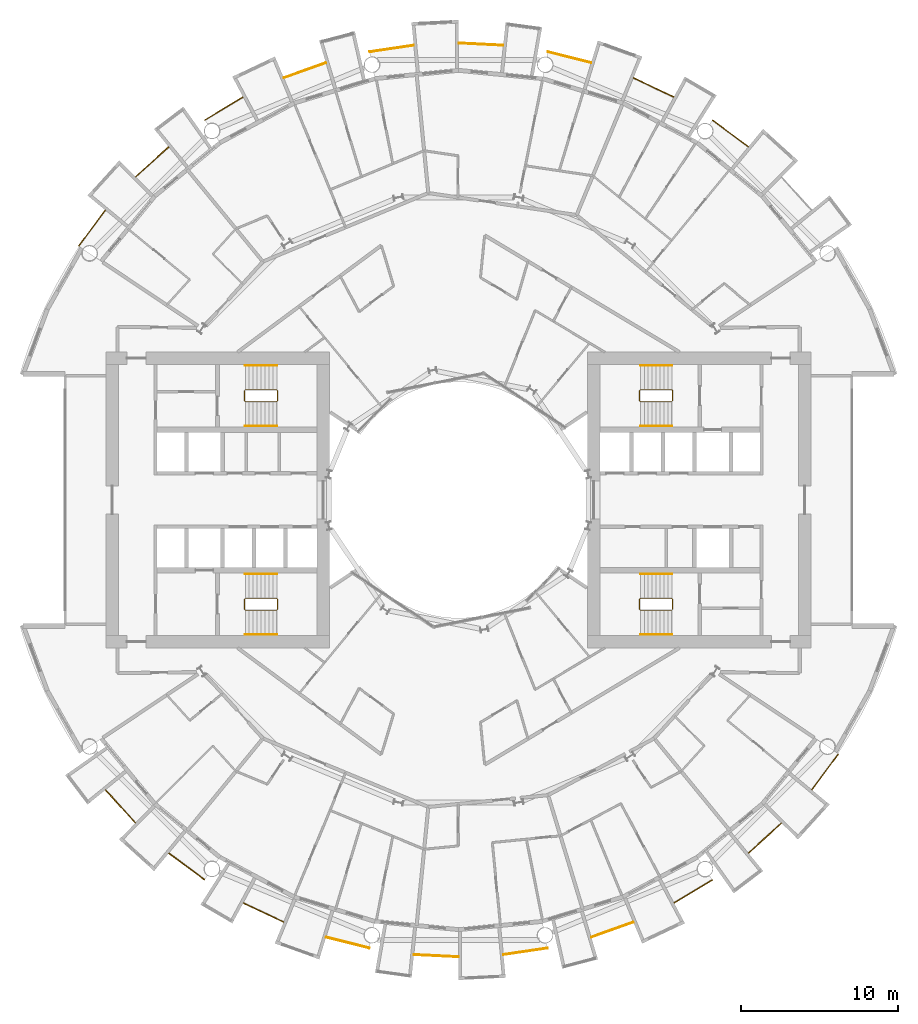
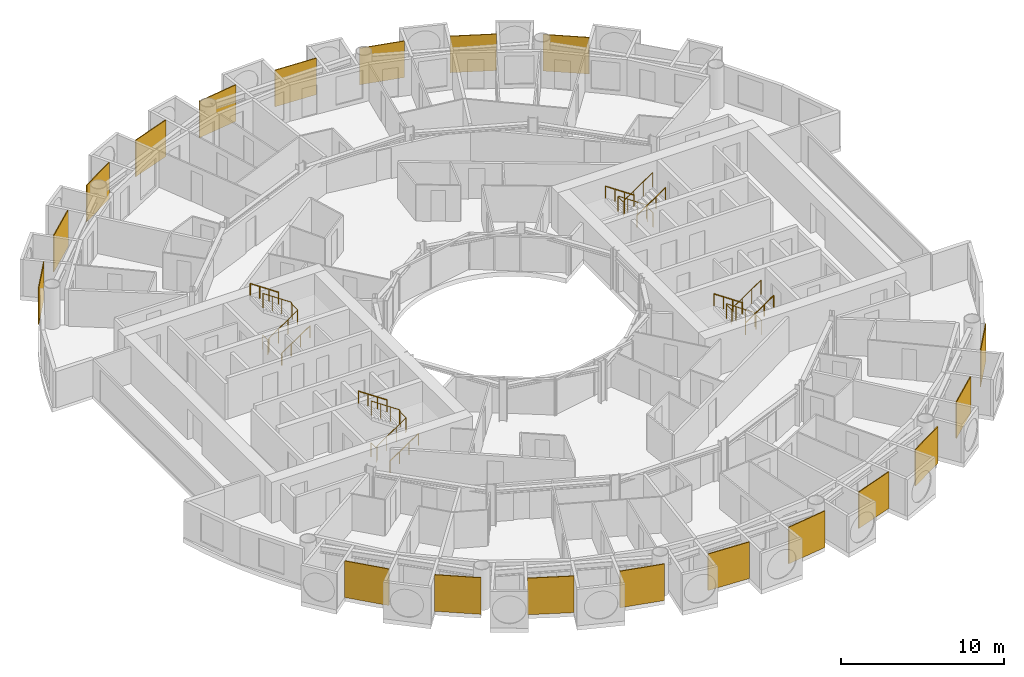
# One storey, part 25 of 26: 31 railings.
"""IFC4 building model written with IfcOpenShell, lengths in metres."""

from ifc_helpers import new_model, si_unit, direction, frame, origin, origin_2d, place, context, subcontext, project, spatial, polyline, circle, outline, extrude, material, layer, layer_set, type_object, element, save


model = new_model("IFC4")

# Units and contexts
model_context = context("Model", 3, precision=1e-05, world=origin(), true_north=direction((0.0, 1.0)))
body_context = subcontext(model_context, "Body", "Model", "MODEL_VIEW")
ifc_project = project(units=[si_unit("LENGTHUNIT", "METRE"), si_unit("AREAUNIT", "SQUARE_METRE"), si_unit("VOLUMEUNIT", "CUBIC_METRE"), si_unit("PLANEANGLEUNIT", "RADIAN"), si_unit("MASSUNIT", "GRAM", prefix="KILO")], contexts=[model_context])

# Site, building, storey
site_placement = place(None, origin())
site = spatial("IfcSite", under=ifc_project, at=site_placement, CompositionType="ELEMENT")
building_placement = place(site_placement, origin())
building = spatial("IfcBuilding", under=site, at=building_placement, Name="Maasbend Ring Residences", CompositionType="ELEMENT")
storey_placement = place(building_placement, frame((0.0, 0.0, 47.199951171875)))
storey = spatial("IfcBuildingStorey", under=building, at=storey_placement, Name="L13", CompositionType="ELEMENT", Elevation=47.199951171875)

# Railings
ifc_material_1 = material(Name="Pale anodised perforated aluminium", Category="aluminium")
ifc_layer = layer(ifc_material_1, 0.06005859375)
ifc_layer_set = layer_set([ifc_layer], Name="SCREEN-P")
railing_type_1 = type_object("IfcRailingType", Name="SCREEN-P", PredefinedType="GUARDRAIL", material=ifc_layer_set)
railing_1_placement = place(storey_placement, frame((0.0, 0.0, -0.030029296875)))
element("IfcRailing", 1, at=railing_1_placement, inside=storey, type_object=railing_type_1, Name="Perforated screen guard 2", PredefinedType="GUARDRAIL", context=body_context, shape_type="SweptSolid", body=[
    extrude(outline(polyline([(18.39697265625, 22.4169921875), (16.112060546875, 24.113037109375), (16.14697265625, 24.160888671875), (18.43310546875, 22.465087890625), (18.39697265625, 22.4169921875)])), origin(), (0.0, 0.0, 1.0), 2.72998046875),
])
railing_2_placement = place(storey_placement, frame((0.0, 0.0, -0.030029296875)))
element("IfcRailing", 2, at=railing_2_placement, inside=storey, type_object=railing_type_1, Name="Perforated screen guard 3", PredefinedType="GUARDRAIL", context=body_context, shape_type="SweptSolid", body=[
    extrude(outline(polyline([(13.6708984375, 25.575927734375), (11.097900390625, 26.79296875), (11.123046875, 26.846923828125), (13.696044921875, 25.6298828125), (13.6708984375, 25.575927734375)])), origin(), (0.0, 0.0, 1.0), 2.72998046875),
])
railing_3_placement = place(storey_placement, frame((0.0, 0.0, -0.030029296875)))
element("IfcRailing", 3, at=railing_3_placement, inside=storey, type_object=railing_type_1, Name="Perforated screen guard 4", PredefinedType="GUARDRAIL", context=body_context, shape_type="SweptSolid", body=[
    extrude(outline(polyline([(8.41796875, 27.7509765625), (5.657958984375, 28.443115234375), (5.672119140625, 28.5009765625), (8.43310546875, 27.80908203125), (8.41796875, 27.7509765625)])), origin(), (0.0, 0.0, 1.0), 2.72998046875),
])
railing_4_placement = place(storey_placement, frame((0.0, 0.0, -0.030029296875)))
element("IfcRailing", 4, at=railing_4_placement, inside=storey, type_object=railing_type_1, Name="Perforated screen guard 5", PredefinedType="GUARDRAIL", context=body_context, shape_type="SweptSolid", body=[
    extrude(outline(polyline([(2.842041015625, 28.860107421875), (0.0, 29.0), (0.0029296875, 29.06005859375), (2.844970703125, 28.919921875), (2.842041015625, 28.860107421875)])), origin(), (0.0, 0.0, 1.0), 2.72998046875),
])
railing_5_placement = place(storey_placement, frame((0.0, 0.0, -0.030029296875)))
element("IfcRailing", 5, at=railing_5_placement, inside=storey, type_object=railing_type_1, Name="Perforated screen guard 6", PredefinedType="GUARDRAIL", context=body_context, shape_type="SweptSolid", body=[
    extrude(outline(polyline([(-2.842041015625, 28.860107421875), (-5.657958984375, 28.443115234375), (-5.666015625, 28.501953125), (-2.85107421875, 28.919921875), (-2.842041015625, 28.860107421875)])), origin(), (0.0, 0.0, 1.0), 2.72998046875),
])
railing_6_placement = place(storey_placement, frame((0.0, 0.0, -0.030029296875)))
element("IfcRailing", 6, at=railing_6_placement, inside=storey, type_object=railing_type_1, Name="Perforated screen guard 7", PredefinedType="GUARDRAIL", context=body_context, shape_type="SweptSolid", body=[
    extrude(outline(polyline([(-8.41796875, 27.7509765625), (-11.097900390625, 26.79296875), (-11.117919921875, 26.84912109375), (-8.43798828125, 27.80810546875), (-8.41796875, 27.7509765625)])), origin(), (0.0, 0.0, 1.0), 2.72998046875),
])
railing_7_placement = place(storey_placement, frame((0.0, 0.0, -0.030029296875)))
element("IfcRailing", 7, at=railing_7_placement, inside=storey, type_object=railing_type_1, Name="Perforated screen guard 8", PredefinedType="GUARDRAIL", context=body_context, shape_type="SweptSolid", body=[
    extrude(outline(polyline([(-13.6708984375, 25.575927734375), (-16.112060546875, 24.113037109375), (-16.14208984375, 24.1640625), (-13.700927734375, 25.626953125), (-13.6708984375, 25.575927734375)])), origin(), (0.0, 0.0, 1.0), 2.72998046875),
])
railing_8_placement = place(storey_placement, frame((0.0, 0.0, -0.030029296875)))
element("IfcRailing", 8, at=railing_8_placement, inside=storey, type_object=railing_type_1, Name="Perforated screen guard 9", PredefinedType="GUARDRAIL", context=body_context, shape_type="SweptSolid", body=[
    extrude(outline(polyline([(-18.39697265625, 22.4169921875), (-20.506103515625, 20.506103515625), (-20.5458984375, 20.551025390625), (-18.43798828125, 22.4619140625), (-18.39697265625, 22.4169921875)])), origin(), (0.0, 0.0, 1.0), 2.72998046875),
])
railing_9_placement = place(storey_placement, frame((0.0, 0.0, -0.030029296875)))
element("IfcRailing", 9, at=railing_9_placement, inside=storey, type_object=railing_type_1, Name="Perforated screen guard 10", PredefinedType="GUARDRAIL", context=body_context, shape_type="SweptSolid", body=[
    extrude(outline(polyline([(-22.4169921875, 18.39697265625), (-24.113037109375, 16.112060546875), (-24.160888671875, 16.14697265625), (-22.465087890625, 18.43310546875), (-22.4169921875, 18.39697265625)])), origin(), (0.0, 0.0, 1.0), 2.72998046875),
])
railing_10_placement = place(storey_placement, frame((0.0, 0.0, -0.030029296875)))
element("IfcRailing", 10, at=railing_10_placement, inside=storey, type_object=railing_type_1, Name="Perforated screen guard 1", PredefinedType="GUARDRAIL", context=body_context, shape_type="SweptSolid", body=[
    extrude(outline(polyline([(-22.4169921875, -18.39697265625), (-20.506103515625, -20.506103515625), (-20.551025390625, -20.5458984375), (-22.4619140625, -18.43798828125), (-22.4169921875, -18.39697265625)])), origin(), (0.0, 0.0, 1.0), 2.72998046875),
])
railing_11_placement = place(storey_placement, frame((0.0, 0.0, -0.030029296875)))
element("IfcRailing", 11, at=railing_11_placement, inside=storey, type_object=railing_type_1, Name="Perforated screen guard 2", PredefinedType="GUARDRAIL", context=body_context, shape_type="SweptSolid", body=[
    extrude(outline(polyline([(-18.39697265625, -22.4169921875), (-16.112060546875, -24.113037109375), (-16.14697265625, -24.160888671875), (-18.43310546875, -22.465087890625), (-18.39697265625, -22.4169921875)])), origin(), (0.0, 0.0, 1.0), 2.72998046875),
])
railing_12_placement = place(storey_placement, frame((0.0, 0.0, -0.030029296875)))
element("IfcRailing", 12, at=railing_12_placement, inside=storey, type_object=railing_type_1, Name="Perforated screen guard 3", PredefinedType="GUARDRAIL", context=body_context, shape_type="SweptSolid", body=[
    extrude(outline(polyline([(-13.6708984375, -25.575927734375), (-11.097900390625, -26.79296875), (-11.123046875, -26.846923828125), (-13.696044921875, -25.6298828125), (-13.6708984375, -25.575927734375)])), origin(), (0.0, 0.0, 1.0), 2.72998046875),
])
railing_13_placement = place(storey_placement, frame((0.0, 0.0, -0.030029296875)))
element("IfcRailing", 13, at=railing_13_placement, inside=storey, type_object=railing_type_1, Name="Perforated screen guard 4", PredefinedType="GUARDRAIL", context=body_context, shape_type="SweptSolid", body=[
    extrude(outline(polyline([(-8.41796875, -27.7509765625), (-5.657958984375, -28.443115234375), (-5.672119140625, -28.5009765625), (-8.43310546875, -27.80908203125), (-8.41796875, -27.7509765625)])), origin(), (0.0, 0.0, 1.0), 2.72998046875),
])
railing_14_placement = place(storey_placement, frame((0.0, 0.0, -0.030029296875)))
element("IfcRailing", 14, at=railing_14_placement, inside=storey, type_object=railing_type_1, Name="Perforated screen guard 5", PredefinedType="GUARDRAIL", context=body_context, shape_type="SweptSolid", body=[
    extrude(outline(polyline([(-2.842041015625, -28.860107421875), (0.0, -29.0), (-0.0029296875, -29.06005859375), (-2.844970703125, -28.919921875), (-2.842041015625, -28.860107421875)])), origin(), (0.0, 0.0, 1.0), 2.72998046875),
])
railing_15_placement = place(storey_placement, frame((0.0, 0.0, -0.030029296875)))
element("IfcRailing", 15, at=railing_15_placement, inside=storey, type_object=railing_type_1, Name="Perforated screen guard 6", PredefinedType="GUARDRAIL", context=body_context, shape_type="SweptSolid", body=[
    extrude(outline(polyline([(2.842041015625, -28.860107421875), (5.657958984375, -28.443115234375), (5.666015625, -28.501953125), (2.85107421875, -28.919921875), (2.842041015625, -28.860107421875)])), origin(), (0.0, 0.0, 1.0), 2.72998046875),
])
railing_16_placement = place(storey_placement, frame((0.0, 0.0, -0.030029296875)))
element("IfcRailing", 16, at=railing_16_placement, inside=storey, type_object=railing_type_1, Name="Perforated screen guard 7", PredefinedType="GUARDRAIL", context=body_context, shape_type="SweptSolid", body=[
    extrude(outline(polyline([(8.41796875, -27.7509765625), (11.097900390625, -26.79296875), (11.117919921875, -26.84912109375), (8.43798828125, -27.80810546875), (8.41796875, -27.7509765625)])), origin(), (0.0, 0.0, 1.0), 2.72998046875),
])
railing_17_placement = place(storey_placement, frame((0.0, 0.0, -0.030029296875)))
element("IfcRailing", 17, at=railing_17_placement, inside=storey, type_object=railing_type_1, Name="Perforated screen guard 8", PredefinedType="GUARDRAIL", context=body_context, shape_type="SweptSolid", body=[
    extrude(outline(polyline([(13.6708984375, -25.575927734375), (16.112060546875, -24.113037109375), (16.14208984375, -24.1640625), (13.700927734375, -25.626953125), (13.6708984375, -25.575927734375)])), origin(), (0.0, 0.0, 1.0), 2.72998046875),
])
railing_18_placement = place(storey_placement, frame((0.0, 0.0, -0.030029296875)))
element("IfcRailing", 18, at=railing_18_placement, inside=storey, type_object=railing_type_1, Name="Perforated screen guard 9", PredefinedType="GUARDRAIL", context=body_context, shape_type="SweptSolid", body=[
    extrude(outline(polyline([(18.39697265625, -22.4169921875), (20.506103515625, -20.506103515625), (20.5458984375, -20.551025390625), (18.43798828125, -22.4619140625), (18.39697265625, -22.4169921875)])), origin(), (0.0, 0.0, 1.0), 2.72998046875),
])
railing_19_placement = place(storey_placement, frame((0.0, 0.0, -0.030029296875)))
element("IfcRailing", 19, at=railing_19_placement, inside=storey, type_object=railing_type_1, Name="Perforated screen guard 10", PredefinedType="GUARDRAIL", context=body_context, shape_type="SweptSolid", body=[
    extrude(outline(polyline([(22.4169921875, -18.39697265625), (24.113037109375, -16.112060546875), (24.160888671875, -16.14697265625), (22.465087890625, -18.43310546875), (22.4169921875, -18.39697265625)])), origin(), (0.0, 0.0, 1.0), 2.72998046875),
])
ifc_material_2 = material(Name="Stainless steel 316", Category="steel")
railing_type_2 = type_object("IfcRailingType", Name="STAIR GUARD 1100", PredefinedType="GUARDRAIL", material=ifc_material_2)
railing_20_placement = place(storey_placement, frame((13.60009765625, 6.300048828125, 0.0)))
element("IfcRailing", 20, at=railing_20_placement, inside=storey, type_object=railing_type_2, Name="L13 ST-E1 stair guard 1", PredefinedType="GUARDRAIL", context=body_context, shape_type="SweptSolid", body=[
    extrude(circle(Radius=0.02392578125, at=origin_2d()), frame((0.0, 0.0, 1.076171875), z_axis=(0.0, 1.0, 0.0), x_axis=(-1.0, 0.0, 0.0)), (0.0, 0.0, 1.0), 0.64990234375),
    extrude(circle(Radius=0.02392578125, at=origin_2d()), frame((0.0, 0.64990234375, 1.076171875), z_axis=(-0.272562526181, 0.272562526181, 0.92272386912), x_axis=(-0.707106781187, -0.707106781187, 0.0)), (0.0, 0.0, 1.0), 0.18359375),
    extrude(circle(Radius=0.02392578125, at=origin_2d()), frame((-0.050048828125, 0.699951171875, 1.24560546875), z_axis=(-0.827750655447, 0.0, 0.561096116906), x_axis=(0.0, -1.0, 0.0)), (0.0, 0.0, 1.0), 2.416259765625),
    extrude(circle(Radius=0.02392578125, at=origin_2d()), frame((-2.050048828125, 0.699951171875, 2.60107421875), z_axis=(-0.707106781187, -0.707106781187, 0.0), x_axis=(0.707106781187, -0.707106781187, 0.0)), (0.0, 0.0, 1.0), 0.07080078125),
    extrude(circle(Radius=0.02392578125, at=origin_2d()), frame((-2.10009765625, 0.64990234375, 2.60107421875), z_axis=(0.0, -1.0, 0.0), x_axis=(1.0, 0.0, 0.0)), (0.0, 0.0, 1.0), 0.64990234375),
    extrude(circle(Radius=0.02392578125, at=origin_2d()), frame((-2.10009765625, 0.0, 2.60107421875), z_axis=(0.272562526181, -0.272562526181, 0.92272386912), x_axis=(0.707106781187, 0.707106781187, 0.0)), (0.0, 0.0, 1.0), 0.18359375),
    extrude(circle(Radius=0.02392578125, at=origin_2d()), frame((-2.050048828125, -0.050048828125, 2.7705078125), z_axis=(0.827797584762, 0.0, 0.561026878735), x_axis=(0.0, 1.0, 0.0)), (0.0, 0.0, 1.0), 2.416015625),
    extrude(circle(Radius=0.02099609375, at=origin_2d()), origin(), (0.0, 0.0, 1.0), 1.052001953125),
    extrude(circle(Radius=0.02099609375, at=origin_2d()), frame((0.0, 0.64990234375, 0.0)), (0.0, 0.0, 1.0), 1.052001953125),
    extrude(circle(Radius=0.02099609375, at=origin_2d()), frame((-0.050048828125, 0.699951171875, 0.16943359375)), (0.0, 0.0, 1.0), 1.052001953125),
    extrude(circle(Radius=0.02099609375, at=origin_2d()), frame((-0.716796875, 0.699951171875, 0.621337890625)), (0.0, 0.0, 1.0), 1.052001953125),
    extrude(circle(Radius=0.02099609375, at=origin_2d()), frame((-1.38330078125, 0.699951171875, 1.0732421875)), (0.0, 0.0, 1.0), 1.052001953125),
    extrude(circle(Radius=0.02099609375, at=origin_2d()), frame((-2.050048828125, 0.699951171875, 1.525146484375)), (0.0, 0.0, 1.0), 1.052001953125),
    extrude(circle(Radius=0.02099609375, at=origin_2d()), frame((-2.10009765625, 0.64990234375, 1.525146484375)), (0.0, 0.0, 1.0), 1.052001953125),
    extrude(circle(Radius=0.02099609375, at=origin_2d()), frame((-2.10009765625, 0.0, 1.525146484375)), (0.0, 0.0, 1.0), 1.052001953125),
    extrude(circle(Radius=0.02099609375, at=origin_2d()), frame((-2.050048828125, -0.050048828125, 1.694580078125)), (0.0, 0.0, 1.0), 1.052001953125),
    extrude(circle(Radius=0.02099609375, at=origin_2d()), frame((-1.38330078125, -0.050048828125, 2.146484375)), (0.0, 0.0, 1.0), 1.052001953125),
    extrude(circle(Radius=0.02099609375, at=origin_2d()), frame((-0.716796875, -0.050048828125, 2.59814453125)), (0.0, 0.0, 1.0), 1.052001953125),
    extrude(circle(Radius=0.02099609375, at=origin_2d()), frame((-0.050048828125, -0.050048828125, 3.050048828125)), (0.0, 0.0, 1.0), 1.052001953125),
])
railing_21_placement = place(storey_placement, frame((13.60009765625, -6.949951171875, 0.0)))
element("IfcRailing", 21, at=railing_21_placement, inside=storey, type_object=railing_type_2, Name="L13 ST-E2 stair guard 1", PredefinedType="GUARDRAIL", context=body_context, shape_type="SweptSolid", body=[
    extrude(circle(Radius=0.02392578125, at=origin_2d()), frame((0.0, 0.0, 1.076171875), z_axis=(0.0, 1.0, 0.0), x_axis=(-1.0, 0.0, 0.0)), (0.0, 0.0, 1.0), 0.64990234375),
    extrude(circle(Radius=0.02392578125, at=origin_2d()), frame((0.0, 0.64990234375, 1.076171875), z_axis=(-0.272562526181, 0.272562526181, 0.92272386912), x_axis=(-0.707106781187, -0.707106781187, 0.0)), (0.0, 0.0, 1.0), 0.18359375),
    extrude(circle(Radius=0.02392578125, at=origin_2d()), frame((-0.050048828125, 0.699951171875, 1.24560546875), z_axis=(-0.827750655447, 0.0, 0.561096116906), x_axis=(0.0, -1.0, 0.0)), (0.0, 0.0, 1.0), 2.416259765625),
    extrude(circle(Radius=0.02392578125, at=origin_2d()), frame((-2.050048828125, 0.699951171875, 2.60107421875), z_axis=(-0.707106781187, -0.707106781187, 0.0), x_axis=(0.707106781187, -0.707106781187, 0.0)), (0.0, 0.0, 1.0), 0.07080078125),
    extrude(circle(Radius=0.02392578125, at=origin_2d()), frame((-2.10009765625, 0.64990234375, 2.60107421875), z_axis=(0.0, -1.0, 0.0), x_axis=(1.0, 0.0, 0.0)), (0.0, 0.0, 1.0), 0.64990234375),
    extrude(circle(Radius=0.02392578125, at=origin_2d()), frame((-2.10009765625, 0.0, 2.60107421875), z_axis=(0.272562526181, -0.272562526181, 0.92272386912), x_axis=(0.707106781187, 0.707106781187, 0.0)), (0.0, 0.0, 1.0), 0.18359375),
    extrude(circle(Radius=0.02392578125, at=origin_2d()), frame((-2.050048828125, -0.050048828125, 2.7705078125), z_axis=(0.827797584762, 0.0, 0.561026878735), x_axis=(0.0, 1.0, 0.0)), (0.0, 0.0, 1.0), 2.416015625),
    extrude(circle(Radius=0.02099609375, at=origin_2d()), origin(), (0.0, 0.0, 1.0), 1.052001953125),
    extrude(circle(Radius=0.02099609375, at=origin_2d()), frame((0.0, 0.64990234375, 0.0)), (0.0, 0.0, 1.0), 1.052001953125),
    extrude(circle(Radius=0.02099609375, at=origin_2d()), frame((-0.050048828125, 0.699951171875, 0.16943359375)), (0.0, 0.0, 1.0), 1.052001953125),
    extrude(circle(Radius=0.02099609375, at=origin_2d()), frame((-0.716796875, 0.699951171875, 0.621337890625)), (0.0, 0.0, 1.0), 1.052001953125),
    extrude(circle(Radius=0.02099609375, at=origin_2d()), frame((-1.38330078125, 0.699951171875, 1.0732421875)), (0.0, 0.0, 1.0), 1.052001953125),
    extrude(circle(Radius=0.02099609375, at=origin_2d()), frame((-2.050048828125, 0.699951171875, 1.525146484375)), (0.0, 0.0, 1.0), 1.052001953125),
    extrude(circle(Radius=0.02099609375, at=origin_2d()), frame((-2.10009765625, 0.64990234375, 1.525146484375)), (0.0, 0.0, 1.0), 1.052001953125),
    extrude(circle(Radius=0.02099609375, at=origin_2d()), frame((-2.10009765625, 0.0, 1.525146484375)), (0.0, 0.0, 1.0), 1.052001953125),
    extrude(circle(Radius=0.02099609375, at=origin_2d()), frame((-2.050048828125, -0.050048828125, 1.694580078125)), (0.0, 0.0, 1.0), 1.052001953125),
    extrude(circle(Radius=0.02099609375, at=origin_2d()), frame((-1.38330078125, -0.050048828125, 2.146484375)), (0.0, 0.0, 1.0), 1.052001953125),
    extrude(circle(Radius=0.02099609375, at=origin_2d()), frame((-0.716796875, -0.050048828125, 2.59814453125)), (0.0, 0.0, 1.0), 1.052001953125),
    extrude(circle(Radius=0.02099609375, at=origin_2d()), frame((-0.050048828125, -0.050048828125, 3.050048828125)), (0.0, 0.0, 1.0), 1.052001953125),
])
railing_22_placement = place(storey_placement, frame((-13.60009765625, -6.300048828125, 0.0)))
element("IfcRailing", 22, at=railing_22_placement, inside=storey, type_object=railing_type_2, Name="L13 ST-W1 stair guard 1", PredefinedType="GUARDRAIL", context=body_context, shape_type="SweptSolid", body=[
    extrude(circle(Radius=0.02392578125, at=origin_2d()), frame((0.0, 0.0, 1.076171875), z_axis=(0.0, -1.0, 0.0), x_axis=(1.0, 0.0, 0.0)), (0.0, 0.0, 1.0), 0.64990234375),
    extrude(circle(Radius=0.02392578125, at=origin_2d()), frame((0.0, -0.64990234375, 1.076171875), z_axis=(0.272562526181, -0.272562526181, 0.92272386912), x_axis=(0.707106781187, 0.707106781187, 0.0)), (0.0, 0.0, 1.0), 0.18359375),
    extrude(circle(Radius=0.02392578125, at=origin_2d()), frame((0.050048828125, -0.699951171875, 1.24560546875), z_axis=(0.827750655447, 0.0, 0.561096116906), x_axis=(0.0, 1.0, 0.0)), (0.0, 0.0, 1.0), 2.416259765625),
    extrude(circle(Radius=0.02392578125, at=origin_2d()), frame((2.050048828125, -0.699951171875, 2.60107421875), z_axis=(0.707106781187, 0.707106781187, 0.0), x_axis=(-0.707106781187, 0.707106781187, 0.0)), (0.0, 0.0, 1.0), 0.07080078125),
    extrude(circle(Radius=0.02392578125, at=origin_2d()), frame((2.10009765625, -0.64990234375, 2.60107421875), z_axis=(0.0, 1.0, 0.0), x_axis=(-1.0, 0.0, 0.0)), (0.0, 0.0, 1.0), 0.64990234375),
    extrude(circle(Radius=0.02392578125, at=origin_2d()), frame((2.10009765625, 0.0, 2.60107421875), z_axis=(-0.272562526181, 0.272562526181, 0.92272386912), x_axis=(-0.707106781187, -0.707106781187, 0.0)), (0.0, 0.0, 1.0), 0.18359375),
    extrude(circle(Radius=0.02392578125, at=origin_2d()), frame((2.050048828125, 0.050048828125, 2.7705078125), z_axis=(-0.827797584762, 0.0, 0.561026878735), x_axis=(0.0, -1.0, 0.0)), (0.0, 0.0, 1.0), 2.416015625),
    extrude(circle(Radius=0.02099609375, at=origin_2d()), origin(), (0.0, 0.0, 1.0), 1.052001953125),
    extrude(circle(Radius=0.02099609375, at=origin_2d()), frame((0.0, -0.64990234375, 0.0)), (0.0, 0.0, 1.0), 1.052001953125),
    extrude(circle(Radius=0.02099609375, at=origin_2d()), frame((0.050048828125, -0.699951171875, 0.16943359375)), (0.0, 0.0, 1.0), 1.052001953125),
    extrude(circle(Radius=0.02099609375, at=origin_2d()), frame((0.716796875, -0.699951171875, 0.621337890625)), (0.0, 0.0, 1.0), 1.052001953125),
    extrude(circle(Radius=0.02099609375, at=origin_2d()), frame((1.38330078125, -0.699951171875, 1.0732421875)), (0.0, 0.0, 1.0), 1.052001953125),
    extrude(circle(Radius=0.02099609375, at=origin_2d()), frame((2.050048828125, -0.699951171875, 1.525146484375)), (0.0, 0.0, 1.0), 1.052001953125),
    extrude(circle(Radius=0.02099609375, at=origin_2d()), frame((2.10009765625, -0.64990234375, 1.525146484375)), (0.0, 0.0, 1.0), 1.052001953125),
    extrude(circle(Radius=0.02099609375, at=origin_2d()), frame((2.10009765625, 0.0, 1.525146484375)), (0.0, 0.0, 1.0), 1.052001953125),
    extrude(circle(Radius=0.02099609375, at=origin_2d()), frame((2.050048828125, 0.050048828125, 1.694580078125)), (0.0, 0.0, 1.0), 1.052001953125),
    extrude(circle(Radius=0.02099609375, at=origin_2d()), frame((1.38330078125, 0.050048828125, 2.146484375)), (0.0, 0.0, 1.0), 1.052001953125),
    extrude(circle(Radius=0.02099609375, at=origin_2d()), frame((0.716796875, 0.050048828125, 2.59814453125)), (0.0, 0.0, 1.0), 1.052001953125),
    extrude(circle(Radius=0.02099609375, at=origin_2d()), frame((0.050048828125, 0.050048828125, 3.050048828125)), (0.0, 0.0, 1.0), 1.052001953125),
])
railing_23_placement = place(storey_placement, frame((-13.60009765625, 6.949951171875, 0.0)))
element("IfcRailing", 23, at=railing_23_placement, inside=storey, type_object=railing_type_2, Name="L13 ST-W2 stair guard 1", PredefinedType="GUARDRAIL", context=body_context, shape_type="SweptSolid", body=[
    extrude(circle(Radius=0.02392578125, at=origin_2d()), frame((0.0, 0.0, 1.076171875), z_axis=(0.0, -1.0, 0.0), x_axis=(1.0, 0.0, 0.0)), (0.0, 0.0, 1.0), 0.64990234375),
    extrude(circle(Radius=0.02392578125, at=origin_2d()), frame((0.0, -0.64990234375, 1.076171875), z_axis=(0.272562526181, -0.272562526181, 0.92272386912), x_axis=(0.707106781187, 0.707106781187, 0.0)), (0.0, 0.0, 1.0), 0.18359375),
    extrude(circle(Radius=0.02392578125, at=origin_2d()), frame((0.050048828125, -0.699951171875, 1.24560546875), z_axis=(0.827750655447, 0.0, 0.561096116906), x_axis=(0.0, 1.0, 0.0)), (0.0, 0.0, 1.0), 2.416259765625),
    extrude(circle(Radius=0.02392578125, at=origin_2d()), frame((2.050048828125, -0.699951171875, 2.60107421875), z_axis=(0.707106781187, 0.707106781187, 0.0), x_axis=(-0.707106781187, 0.707106781187, 0.0)), (0.0, 0.0, 1.0), 0.07080078125),
    extrude(circle(Radius=0.02392578125, at=origin_2d()), frame((2.10009765625, -0.64990234375, 2.60107421875), z_axis=(0.0, 1.0, 0.0), x_axis=(-1.0, 0.0, 0.0)), (0.0, 0.0, 1.0), 0.64990234375),
    extrude(circle(Radius=0.02392578125, at=origin_2d()), frame((2.10009765625, 0.0, 2.60107421875), z_axis=(-0.272562526181, 0.272562526181, 0.92272386912), x_axis=(-0.707106781187, -0.707106781187, 0.0)), (0.0, 0.0, 1.0), 0.18359375),
    extrude(circle(Radius=0.02392578125, at=origin_2d()), frame((2.050048828125, 0.050048828125, 2.7705078125), z_axis=(-0.827797584762, 0.0, 0.561026878735), x_axis=(0.0, -1.0, 0.0)), (0.0, 0.0, 1.0), 2.416015625),
    extrude(circle(Radius=0.02099609375, at=origin_2d()), origin(), (0.0, 0.0, 1.0), 1.052001953125),
    extrude(circle(Radius=0.02099609375, at=origin_2d()), frame((0.0, -0.64990234375, 0.0)), (0.0, 0.0, 1.0), 1.052001953125),
    extrude(circle(Radius=0.02099609375, at=origin_2d()), frame((0.050048828125, -0.699951171875, 0.16943359375)), (0.0, 0.0, 1.0), 1.052001953125),
    extrude(circle(Radius=0.02099609375, at=origin_2d()), frame((0.716796875, -0.699951171875, 0.621337890625)), (0.0, 0.0, 1.0), 1.052001953125),
    extrude(circle(Radius=0.02099609375, at=origin_2d()), frame((1.38330078125, -0.699951171875, 1.0732421875)), (0.0, 0.0, 1.0), 1.052001953125),
    extrude(circle(Radius=0.02099609375, at=origin_2d()), frame((2.050048828125, -0.699951171875, 1.525146484375)), (0.0, 0.0, 1.0), 1.052001953125),
    extrude(circle(Radius=0.02099609375, at=origin_2d()), frame((2.10009765625, -0.64990234375, 1.525146484375)), (0.0, 0.0, 1.0), 1.052001953125),
    extrude(circle(Radius=0.02099609375, at=origin_2d()), frame((2.10009765625, 0.0, 1.525146484375)), (0.0, 0.0, 1.0), 1.052001953125),
    extrude(circle(Radius=0.02099609375, at=origin_2d()), frame((2.050048828125, 0.050048828125, 1.694580078125)), (0.0, 0.0, 1.0), 1.052001953125),
    extrude(circle(Radius=0.02099609375, at=origin_2d()), frame((1.38330078125, 0.050048828125, 2.146484375)), (0.0, 0.0, 1.0), 1.052001953125),
    extrude(circle(Radius=0.02099609375, at=origin_2d()), frame((0.716796875, 0.050048828125, 2.59814453125)), (0.0, 0.0, 1.0), 1.052001953125),
    extrude(circle(Radius=0.02099609375, at=origin_2d()), frame((0.050048828125, 0.050048828125, 3.050048828125)), (0.0, 0.0, 1.0), 1.052001953125),
])
ifc_material_3 = material(Name="Stainless steel 316", Category="steel")
railing_type_3 = type_object("IfcRailingType", Name="STAIR HANDRAIL 900", PredefinedType="HANDRAIL", material=ifc_material_3)
railing_24_placement = place(storey_placement, frame((13.550048828125, 8.550048828125, 0.16943359375)))
element("IfcRailing", 24, at=railing_24_placement, inside=storey, type_object=railing_type_3, Name="L13 ST-E1 stair handrail 1", PredefinedType="HANDRAIL", context=body_context, shape_type="SweptSolid", body=[
    extrude(circle(Radius=0.02392578125, at=origin_2d()), frame((0.0, 0.0, 0.8759765625), z_axis=(-0.827750655447, 0.0, 0.561096116906), x_axis=(0.0, -1.0, 0.0)), (0.0, 0.0, 1.0), 2.416259765625),
    extrude(circle(Radius=0.02099609375, at=origin_2d()), origin(), (0.0, 0.0, 1.0), 0.851806640625),
    extrude(circle(Radius=0.02099609375, at=origin_2d()), frame((-0.666748046875, 0.0, 0.451904296875)), (0.0, 0.0, 1.0), 0.851806640625),
    extrude(circle(Radius=0.02099609375, at=origin_2d()), frame((-1.333251953125, 0.0, 0.90380859375)), (0.0, 0.0, 1.0), 0.851806640625),
    extrude(circle(Radius=0.02099609375, at=origin_2d()), frame((-2.0, 0.0, 1.355712890625)), (0.0, 0.0, 1.0), 0.851806640625),
])
railing_25_placement = place(storey_placement, frame((11.550048828125, 4.699951171875, 1.694580078125)))
element("IfcRailing", 25, at=railing_25_placement, inside=storey, type_object=railing_type_3, Name="L13 ST-E1 stair handrail 2", PredefinedType="HANDRAIL", context=body_context, shape_type="SweptSolid", body=[
    extrude(circle(Radius=0.02392578125, at=origin_2d()), frame((0.0, 0.0, 0.8759765625), z_axis=(0.827797584762, 0.0, 0.561026878735), x_axis=(0.0, 1.0, 0.0)), (0.0, 0.0, 1.0), 2.416015625),
    extrude(circle(Radius=0.02099609375, at=origin_2d()), origin(), (0.0, 0.0, 1.0), 0.851806640625),
    extrude(circle(Radius=0.02099609375, at=origin_2d()), frame((0.666748046875, 0.0, 0.451904296875)), (0.0, 0.0, 1.0), 0.851806640625),
    extrude(circle(Radius=0.02099609375, at=origin_2d()), frame((1.333251953125, 0.0, 0.903564453125)), (0.0, 0.0, 1.0), 0.851806640625),
    extrude(circle(Radius=0.02099609375, at=origin_2d()), frame((2.0, 0.0, 1.35546875)), (0.0, 0.0, 1.0), 0.851806640625),
])
railing_26_placement = place(storey_placement, frame((13.550048828125, -4.699951171875, 0.16943359375)))
element("IfcRailing", 26, at=railing_26_placement, inside=storey, type_object=railing_type_3, Name="L13 ST-E2 stair handrail 1", PredefinedType="HANDRAIL", context=body_context, shape_type="SweptSolid", body=[
    extrude(circle(Radius=0.02392578125, at=origin_2d()), frame((0.0, 0.0, 0.8759765625), z_axis=(-0.827750655447, 0.0, 0.561096116906), x_axis=(0.0, -1.0, 0.0)), (0.0, 0.0, 1.0), 2.416259765625),
    extrude(circle(Radius=0.02099609375, at=origin_2d()), origin(), (0.0, 0.0, 1.0), 0.851806640625),
    extrude(circle(Radius=0.02099609375, at=origin_2d()), frame((-0.666748046875, 0.0, 0.451904296875)), (0.0, 0.0, 1.0), 0.851806640625),
    extrude(circle(Radius=0.02099609375, at=origin_2d()), frame((-1.333251953125, 0.0, 0.90380859375)), (0.0, 0.0, 1.0), 0.851806640625),
    extrude(circle(Radius=0.02099609375, at=origin_2d()), frame((-2.0, 0.0, 1.355712890625)), (0.0, 0.0, 1.0), 0.851806640625),
])
railing_27_placement = place(storey_placement, frame((11.550048828125, -8.550048828125, 1.694580078125)))
element("IfcRailing", 27, at=railing_27_placement, inside=storey, type_object=railing_type_3, Name="L13 ST-E2 stair handrail 2", PredefinedType="HANDRAIL", context=body_context, shape_type="SweptSolid", body=[
    extrude(circle(Radius=0.02392578125, at=origin_2d()), frame((0.0, 0.0, 0.8759765625), z_axis=(0.827797584762, 0.0, 0.561026878735), x_axis=(0.0, 1.0, 0.0)), (0.0, 0.0, 1.0), 2.416015625),
    extrude(circle(Radius=0.02099609375, at=origin_2d()), origin(), (0.0, 0.0, 1.0), 0.851806640625),
    extrude(circle(Radius=0.02099609375, at=origin_2d()), frame((0.666748046875, 0.0, 0.451904296875)), (0.0, 0.0, 1.0), 0.851806640625),
    extrude(circle(Radius=0.02099609375, at=origin_2d()), frame((1.333251953125, 0.0, 0.903564453125)), (0.0, 0.0, 1.0), 0.851806640625),
    extrude(circle(Radius=0.02099609375, at=origin_2d()), frame((2.0, 0.0, 1.35546875)), (0.0, 0.0, 1.0), 0.851806640625),
])
railing_28_placement = place(storey_placement, frame((-13.550048828125, -8.550048828125, 0.16943359375)))
element("IfcRailing", 28, at=railing_28_placement, inside=storey, type_object=railing_type_3, Name="L13 ST-W1 stair handrail 1", PredefinedType="HANDRAIL", context=body_context, shape_type="SweptSolid", body=[
    extrude(circle(Radius=0.02392578125, at=origin_2d()), frame((0.0, 0.0, 0.8759765625), z_axis=(0.827750655447, 0.0, 0.561096116906), x_axis=(0.0, 1.0, 0.0)), (0.0, 0.0, 1.0), 2.416259765625),
    extrude(circle(Radius=0.02099609375, at=origin_2d()), origin(), (0.0, 0.0, 1.0), 0.851806640625),
    extrude(circle(Radius=0.02099609375, at=origin_2d()), frame((0.666748046875, 0.0, 0.451904296875)), (0.0, 0.0, 1.0), 0.851806640625),
    extrude(circle(Radius=0.02099609375, at=origin_2d()), frame((1.333251953125, 0.0, 0.90380859375)), (0.0, 0.0, 1.0), 0.851806640625),
    extrude(circle(Radius=0.02099609375, at=origin_2d()), frame((2.0, 0.0, 1.355712890625)), (0.0, 0.0, 1.0), 0.851806640625),
])
railing_29_placement = place(storey_placement, frame((-11.550048828125, -4.699951171875, 1.694580078125)))
element("IfcRailing", 29, at=railing_29_placement, inside=storey, type_object=railing_type_3, Name="L13 ST-W1 stair handrail 2", PredefinedType="HANDRAIL", context=body_context, shape_type="SweptSolid", body=[
    extrude(circle(Radius=0.02392578125, at=origin_2d()), frame((0.0, 0.0, 0.8759765625), z_axis=(-0.827797584762, 0.0, 0.561026878735), x_axis=(0.0, -1.0, 0.0)), (0.0, 0.0, 1.0), 2.416015625),
    extrude(circle(Radius=0.02099609375, at=origin_2d()), origin(), (0.0, 0.0, 1.0), 0.851806640625),
    extrude(circle(Radius=0.02099609375, at=origin_2d()), frame((-0.666748046875, 0.0, 0.451904296875)), (0.0, 0.0, 1.0), 0.851806640625),
    extrude(circle(Radius=0.02099609375, at=origin_2d()), frame((-1.333251953125, 0.0, 0.903564453125)), (0.0, 0.0, 1.0), 0.851806640625),
    extrude(circle(Radius=0.02099609375, at=origin_2d()), frame((-2.0, 0.0, 1.35546875)), (0.0, 0.0, 1.0), 0.851806640625),
])
railing_30_placement = place(storey_placement, frame((-13.550048828125, 4.699951171875, 0.16943359375)))
element("IfcRailing", 30, at=railing_30_placement, inside=storey, type_object=railing_type_3, Name="L13 ST-W2 stair handrail 1", PredefinedType="HANDRAIL", context=body_context, shape_type="SweptSolid", body=[
    extrude(circle(Radius=0.02392578125, at=origin_2d()), frame((0.0, 0.0, 0.8759765625), z_axis=(0.827750655447, 0.0, 0.561096116906), x_axis=(0.0, 1.0, 0.0)), (0.0, 0.0, 1.0), 2.416259765625),
    extrude(circle(Radius=0.02099609375, at=origin_2d()), origin(), (0.0, 0.0, 1.0), 0.851806640625),
    extrude(circle(Radius=0.02099609375, at=origin_2d()), frame((0.666748046875, 0.0, 0.451904296875)), (0.0, 0.0, 1.0), 0.851806640625),
    extrude(circle(Radius=0.02099609375, at=origin_2d()), frame((1.333251953125, 0.0, 0.90380859375)), (0.0, 0.0, 1.0), 0.851806640625),
    extrude(circle(Radius=0.02099609375, at=origin_2d()), frame((2.0, 0.0, 1.355712890625)), (0.0, 0.0, 1.0), 0.851806640625),
])
railing_31_placement = place(storey_placement, frame((-11.550048828125, 8.550048828125, 1.694580078125)))
element("IfcRailing", 31, at=railing_31_placement, inside=storey, type_object=railing_type_3, Name="L13 ST-W2 stair handrail 2", PredefinedType="HANDRAIL", context=body_context, shape_type="SweptSolid", body=[
    extrude(circle(Radius=0.02392578125, at=origin_2d()), frame((0.0, 0.0, 0.8759765625), z_axis=(-0.827797584762, 0.0, 0.561026878735), x_axis=(0.0, -1.0, 0.0)), (0.0, 0.0, 1.0), 2.416015625),
    extrude(circle(Radius=0.02099609375, at=origin_2d()), origin(), (0.0, 0.0, 1.0), 0.851806640625),
    extrude(circle(Radius=0.02099609375, at=origin_2d()), frame((-0.666748046875, 0.0, 0.451904296875)), (0.0, 0.0, 1.0), 0.851806640625),
    extrude(circle(Radius=0.02099609375, at=origin_2d()), frame((-1.333251953125, 0.0, 0.903564453125)), (0.0, 0.0, 1.0), 0.851806640625),
    extrude(circle(Radius=0.02099609375, at=origin_2d()), frame((-2.0, 0.0, 1.35546875)), (0.0, 0.0, 1.0), 0.851806640625),
])

save(model, "model.ifc")
